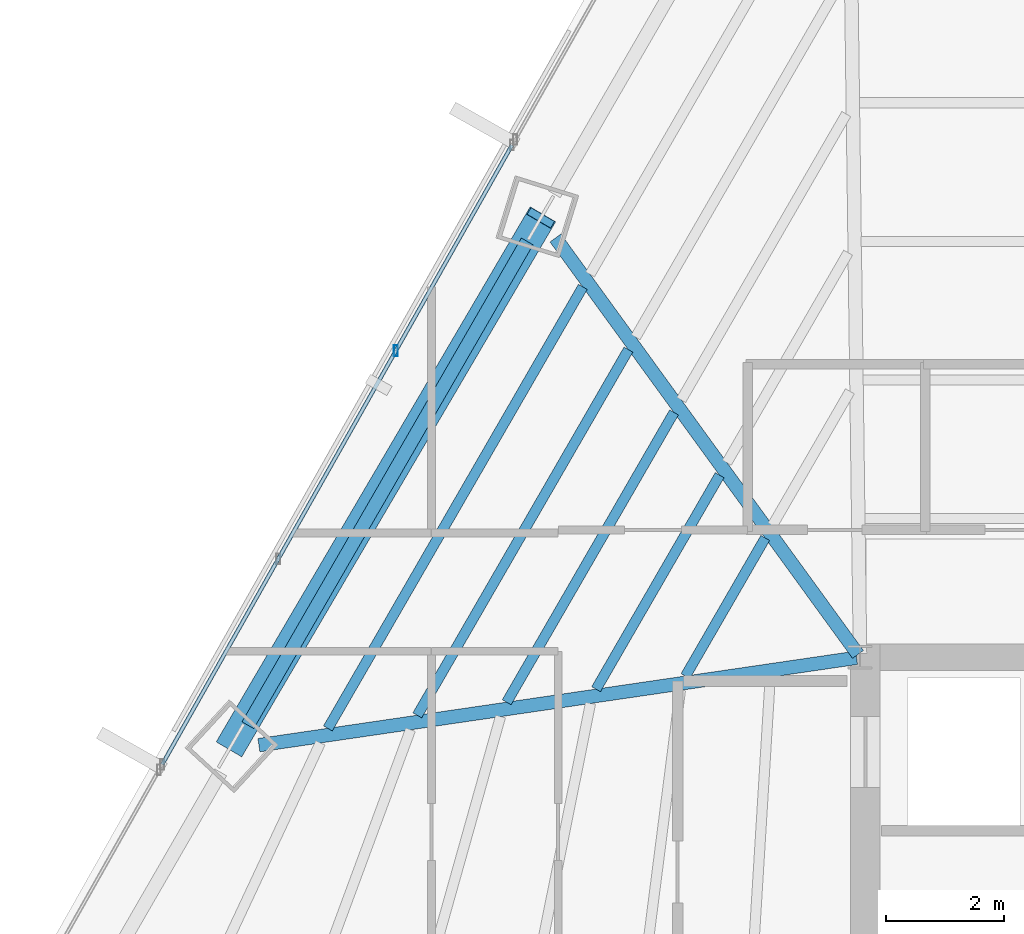
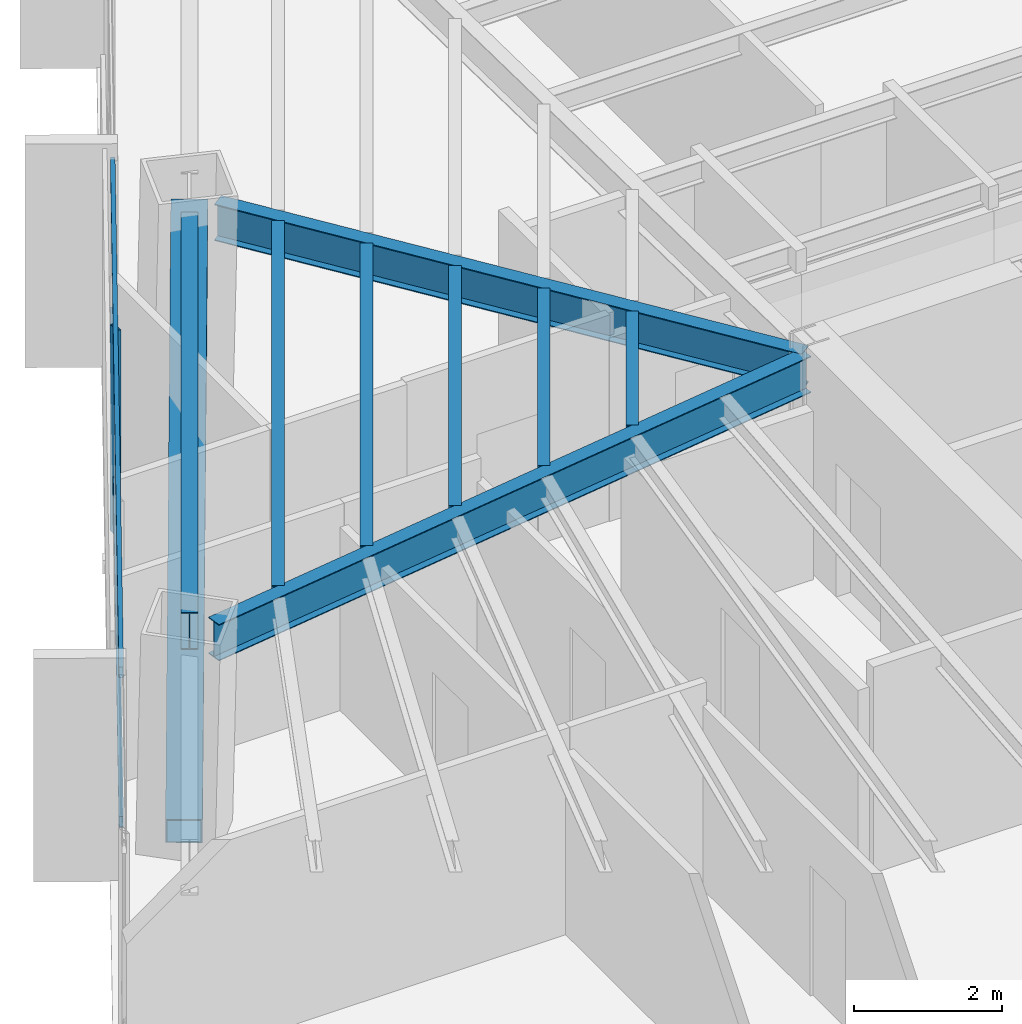
# One storey, part 13 of 35: 8 beams, 4 members, 1 element without a shape of its own.
"""IFC4 building model written with IfcOpenShell, lengths in metres."""

from ifc_helpers import new_model, si_unit, direction, frame, origin, origin_2d, place, context, subcontext, project, spatial, hollow_rectangle, i_section, extrude, source, transform, mapped, material, material_profile, profile_set, type_object, type_shapes, element, aggregate, save


model = new_model("IFC4")

# Units and contexts
model_context = context("Model", 3, precision=1e-05, world=origin(), true_north=direction((0.0, 1.0)))
body_context = subcontext(model_context, "Body", "Model", "MODEL_VIEW")
ifc_project = project(units=[si_unit("LENGTHUNIT", "METRE"), si_unit("AREAUNIT", "SQUARE_METRE"), si_unit("VOLUMEUNIT", "CUBIC_METRE"), si_unit("PLANEANGLEUNIT", "RADIAN"), si_unit("MASSUNIT", "GRAM", prefix="KILO")], contexts=[model_context])

# Site, building, storey
site_placement = place(None, origin())
site = spatial("IfcSite", under=ifc_project, at=site_placement, CompositionType="ELEMENT")
building_placement = place(site_placement, origin())
building = spatial("IfcBuilding", under=site, at=building_placement, Name="Caelisora Broadcast Tower", CompositionType="ELEMENT")
storey_placement = place(building_placement, frame((0.0, 0.0, 90.800048828125)))
storey = spatial("IfcBuildingStorey", under=building, at=storey_placement, Name="L23", CompositionType="ELEMENT", Elevation=90.800048828125)

# Beams
ifc_material_1 = material(Name="Steel Grade 350 (AS/NZS 3679.1)", Category="steel")
ifc_material_profile_1 = material_profile(ifc_material_1, i_section(OverallWidth=0.22900390625, OverallDepth=0.611572265625, WebThickness=0.011962890625, FlangeThickness=0.01953125, at=origin_2d()), Name="Steel Grade 350 (AS/NZS 3679.1)")
ifc_profile_set_1 = profile_set([ifc_material_profile_1], Name="Steel Grade 350 (AS/NZS 3679.1)")
beam_type_1 = type_object("IfcBeamType", Name="PG03", PredefinedType="BEAM", material=ifc_profile_set_1)
shared_shape_1 = source(origin(), body_context, "Body", "SweptSolid", [
    extrude(i_section(OverallWidth=0.22900390625, OverallDepth=0.611572265625, WebThickness=0.011962890625, FlangeThickness=0.01953125, at=origin_2d()), origin(), (0.0, 0.0, 1.0), 9.43505859375),
])
type_shapes(beam_type_1, [shared_shape_1])
beam_1_placement = place(storey_placement, frame((24.877685546875, 37.0234375, 3.09423828125), z_axis=(-0.499974069032, -0.866040374518, 0.0), x_axis=(0.866040374518, -0.499974069032, 0.0)))
element("IfcBeam", 1, at=beam_1_placement, inside=storey, type_object=beam_type_1, Name="L23 beam PG03", PredefinedType="BEAM", context=body_context, shape_type="MappedRepresentation", body=[
    mapped(shared_shape_1, transform((0.0, 0.0, 0.0), scale=1.0)),
])
ifc_material_profile_2 = material_profile(ifc_material_1, i_section(OverallWidth=0.22802734375, OverallDepth=0.602294921875, WebThickness=0.010498046875, FlangeThickness=0.014892578125, at=origin_2d()), Name="Steel Grade 350 (AS/NZS 3679.1)")
ifc_profile_set_2 = profile_set([ifc_material_profile_2], Name="Steel Grade 350 (AS/NZS 3679.1)")
beam_type_2 = type_object("IfcBeamType", Name="PG04", PredefinedType="BEAM", material=ifc_profile_set_2)
shared_shape_2 = source(origin(), body_context, "Body", "SweptSolid", [
    extrude(i_section(OverallWidth=0.22802734375, OverallDepth=0.602294921875, WebThickness=0.010498046875, FlangeThickness=0.014892578125, at=origin_2d()), origin(), (0.0, 0.0, 1.0), 8.693603515625),
])
beam_2_placement = place(storey_placement, frame((30.464599609375, 30.048583984375, 3.098876953125), z_axis=(-0.587767539291, 0.809029863327, 0.0), x_axis=(-0.809029863327, -0.587767539291, 0.0)))
element("IfcBeam", 2, at=beam_2_placement, inside=storey, type_object=beam_type_2, Name="L23 beam PG04", PredefinedType="BEAM", context=body_context, shape_type="MappedRepresentation", body=[
    mapped(shared_shape_2, transform((0.0, 0.0, 0.0), scale=1.0)),
])
shared_shape_3 = source(origin(), body_context, "Body", "SweptSolid", [
    extrude(i_section(OverallWidth=0.22802734375, OverallDepth=0.602294921875, WebThickness=0.010498046875, FlangeThickness=0.014892578125, at=origin_2d()), origin(), (0.0, 0.0, 1.0), 10.2021484375),
])
type_shapes(beam_type_2, [shared_shape_2, shared_shape_3])
beam_3_placement = place(storey_placement, frame((30.440673828125, 29.9912109375, 3.098876953125), z_axis=(-0.989474523325, -0.144707179127, 0.0), x_axis=(0.144707179127, -0.989474523325, 0.0)))
element("IfcBeam", 3, at=beam_3_placement, inside=storey, type_object=beam_type_2, Name="L23 beam PG04", PredefinedType="BEAM", context=body_context, shape_type="MappedRepresentation", body=[
    mapped(shared_shape_3, transform((0.0, 0.0, 0.0), scale=1.0)),
])
ifc_material_profile_3 = material_profile(ifc_material_1, i_section(OverallWidth=0.172119140625, OverallDepth=0.358642578125, WebThickness=0.008056640625, FlangeThickness=0.012939453125, at=origin_2d()), Name="Steel Grade 350 (AS/NZS 3679.1)")
ifc_profile_set_3 = profile_set([ifc_material_profile_3], Name="Steel Grade 350 (AS/NZS 3679.1)")
beam_type_3 = type_object("IfcBeamType", Name="SB02", PredefinedType="JOIST", material=ifc_profile_set_3)
shared_shape_4 = source(origin(), body_context, "Body", "SweptSolid", [
    extrude(i_section(OverallWidth=0.172119140625, OverallDepth=0.358642578125, WebThickness=0.008056640625, FlangeThickness=0.012939453125, at=origin_2d()), origin(), (0.0, 0.0, 1.0), 2.6943359375),
])
beam_4_placement = place(storey_placement, frame((28.8984375, 32.014892578125, 3.220703125), z_axis=(-0.499978670142, -0.866037718234, 0.0), x_axis=(0.866037718234, -0.499978670142, 0.0)))
element("IfcBeam", 4, at=beam_4_placement, inside=storey, type_object=beam_type_3, Name="L23 beam SB02", PredefinedType="JOIST", context=body_context, shape_type="MappedRepresentation", body=[
    mapped(shared_shape_4, transform((0.0, 0.0, 0.0), scale=1.0)),
])
shared_shape_5 = source(origin(), body_context, "Body", "SweptSolid", [
    extrude(i_section(OverallWidth=0.172119140625, OverallDepth=0.358642578125, WebThickness=0.008056640625, FlangeThickness=0.012939453125, at=origin_2d()), origin(), (0.0, 0.0, 1.0), 4.173828125),
])
beam_5_placement = place(storey_placement, frame((28.128173828125, 33.0751953125, 3.220703125), z_axis=(-0.500014445159, -0.866017063708, 0.0), x_axis=(0.866017063708, -0.500014445159, 0.0)))
element("IfcBeam", 5, at=beam_5_placement, inside=storey, type_object=beam_type_3, Name="L23 beam SB02", PredefinedType="JOIST", context=body_context, shape_type="MappedRepresentation", body=[
    mapped(shared_shape_5, transform((0.0, 0.0, 0.0), scale=1.0)),
])
shared_shape_6 = source(origin(), body_context, "Body", "SweptSolid", [
    extrude(i_section(OverallWidth=0.172119140625, OverallDepth=0.358642578125, WebThickness=0.008056640625, FlangeThickness=0.012939453125, at=origin_2d()), origin(), (0.0, 0.0, 1.0), 5.653076171875),
])
beam_6_placement = place(storey_placement, frame((27.35791015625, 34.135498046875, 3.220703125), z_axis=(-0.500012795616, -0.866018016106, 0.0), x_axis=(0.866018016106, -0.500012795616, 0.0)))
element("IfcBeam", 6, at=beam_6_placement, inside=storey, type_object=beam_type_3, Name="L23 beam SB02", PredefinedType="JOIST", context=body_context, shape_type="MappedRepresentation", body=[
    mapped(shared_shape_6, transform((0.0, 0.0, 0.0), scale=1.0)),
])
shared_shape_7 = source(origin(), body_context, "Body", "SweptSolid", [
    extrude(i_section(OverallWidth=0.172119140625, OverallDepth=0.358642578125, WebThickness=0.008056640625, FlangeThickness=0.012939453125, at=origin_2d()), origin(), (0.0, 0.0, 1.0), 7.132080078125),
])
beam_7_placement = place(storey_placement, frame((26.58740234375, 35.19580078125, 3.220703125), z_axis=(-0.499975307128, -0.866039659752, 0.0), x_axis=(0.866039659752, -0.499975307128, 0.0)))
element("IfcBeam", 7, at=beam_7_placement, inside=storey, type_object=beam_type_3, Name="L23 beam SB02", PredefinedType="JOIST", context=body_context, shape_type="MappedRepresentation", body=[
    mapped(shared_shape_7, transform((0.0, 0.0, 0.0), scale=1.0)),
])
shared_shape_8 = source(origin(), body_context, "Body", "SweptSolid", [
    extrude(i_section(OverallWidth=0.172119140625, OverallDepth=0.358642578125, WebThickness=0.008056640625, FlangeThickness=0.012939453125, at=origin_2d()), origin(), (0.0, 0.0, 1.0), 8.611572265625),
])
type_shapes(beam_type_3, [shared_shape_4, shared_shape_5, shared_shape_6, shared_shape_7, shared_shape_8])
beam_8_placement = place(storey_placement, frame((25.817138671875, 36.256103515625, 3.220703125), z_axis=(-0.499980948172, -0.866036403083, 0.0), x_axis=(0.866036403083, -0.499980948172, 0.0)))
element("IfcBeam", 8, at=beam_8_placement, inside=storey, type_object=beam_type_3, Name="L23 beam SB02", PredefinedType="JOIST", context=body_context, shape_type="MappedRepresentation", body=[
    mapped(shared_shape_8, transform((0.0, 0.0, 0.0), scale=1.0)),
])

# Member
ifc_material_2 = material(Name="Steel Grade 450 L15 (AS/NZS 3678)", Category="steel")
ifc_material_profile_4 = material_profile(ifc_material_2, hollow_rectangle(XDim=0.5, YDim=0.5, WallThickness=0.02001953125, at=origin_2d()), Name="Steel Grade 450 L15 (AS/NZS 3678)")
ifc_profile_set_4 = profile_set([ifc_material_profile_4], Name="Steel Grade 450 L15 (AS/NZS 3678)")
member_type_1 = type_object("IfcMemberType", Name="BR02", PredefinedType="BRACE", material=ifc_profile_set_4)
shared_shape_9 = source(origin(), body_context, "Body", "SweptSolid", [
    extrude(hollow_rectangle(XDim=0.5, YDim=0.5, WallThickness=0.02001953125, at=origin_2d()), origin(), (0.0, 0.0, 1.0), 10.765625),
])
type_shapes(member_type_1, [shared_shape_9])
member_1_placement = place(storey_placement, frame((25.10791015625, 37.421875, 3.099853515625), z_axis=(-0.486011029861, -0.828334602991, -0.278666582751), x_axis=(0.862500032821, -0.506057006061, 0.0)))
element("IfcMember", 9, at=member_1_placement, inside=storey, type_object=member_type_1, Name="L23 perimeter brace BR02", PredefinedType="BRACE", context=body_context, shape_type="MappedRepresentation", body=[
    mapped(shared_shape_9, transform((0.0, 0.0, 0.0), scale=1.0)),
])

# Curtain wall, members
ifc_material_3 = material(Name="Unitised Aluminium Insulated Shadow-Box Spandrel Curtain Wall", Category="aluminium")
curtain_wall_type = type_object("IfcCurtainWallType", Name="CW-SP1", PredefinedType="NOTDEFINED", material=ifc_material_3)
curtain_wall_placement = place(storey_placement, origin())
curtain_wall = element("IfcCurtainWall", 10, at=curtain_wall_placement, inside=storey, type_object=curtain_wall_type, Name="L23 curtain wall CW-SP1", PredefinedType="NOTDEFINED")
ifc_material_4 = material(Name="Aluminium 6063-T6 Anodised Terracotta Bronze", Category="aluminium")
ifc_material_profile_5 = material_profile(ifc_material_4, hollow_rectangle(XDim=0.06494140625, YDim=0.179931640625, WallThickness=0.00341796875, at=origin_2d()), Name="Aluminium 6063-T6 Anodised Terracotta Bronze")
ifc_profile_set_5 = profile_set([ifc_material_profile_5], Name="Aluminium 6063-T6 Anodised Terracotta Bronze")
member_type_2 = type_object("IfcMemberType", Name="CWM-02", PredefinedType="MULLION", material=ifc_profile_set_5)
shared_shape_10 = source(origin(), body_context, "Body", "SweptSolid", [
    extrude(hollow_rectangle(XDim=0.06494140625, YDim=0.179931640625, WallThickness=0.00341796875, at=origin_2d()), origin(), (0.0, 0.0, 1.0), 3.39990234375),
])
type_shapes(member_type_2, [shared_shape_10])
member_2_placement = place(storey_placement, frame((22.65966796875, 35.177734375, 0.0), z_axis=(0.0, 0.0, 1.0), x_axis=(1.0, 0.0, 0.0)))
member_2 = element("IfcMember", 11, at=member_2_placement, type_object=member_type_2, Name="L23-CW-B10 mullion #2", PredefinedType="MULLION", context=body_context, shape_type="MappedRepresentation", body=[
    mapped(shared_shape_10, transform((0.0, 0.0, 0.0), scale=1.0)),
])
ifc_material_profile_6 = material_profile(ifc_material_4, hollow_rectangle(XDim=0.06494140625, YDim=0.179931640625, WallThickness=0.00341796875, at=origin_2d()), Name="Aluminium 6063-T6 Anodised Terracotta Bronze")
ifc_profile_set_6 = profile_set([ifc_material_profile_6], Name="Aluminium 6063-T6 Anodised Terracotta Bronze")
member_type_3 = type_object("IfcMemberType", Name="CWT-01", PredefinedType="USERDEFINED", material=ifc_profile_set_6)
shared_shape_11 = source(origin(), body_context, "Body", "SweptSolid", [
    extrude(hollow_rectangle(XDim=0.06494140625, YDim=0.179931640625, WallThickness=0.00341796875, at=origin_2d()), origin(), (0.0, 0.0, 1.0), 12.011962890625),
])
type_shapes(member_type_3, [shared_shape_11])
member_3_placement = place(storey_placement, frame((18.71337890625, 28.1904296875, 0.849853515625), z_axis=(0.491757189957, 0.870732373422, 0.0), x_axis=(-0.870732373422, 0.491757189957, 0.0)))
member_3 = element("IfcMember", 12, at=member_3_placement, type_object=member_type_3, Name="L23-CW-B10 transom #1", ObjectType="TRANSOM", PredefinedType="USERDEFINED", context=body_context, shape_type="MappedRepresentation", body=[
    mapped(shared_shape_11, transform((0.0, 0.0, 0.0), scale=1.0)),
])
member_4_placement = place(storey_placement, frame((18.71337890625, 28.1904296875, 3.320068359375), z_axis=(0.491757189957, 0.870732373422, 0.0), x_axis=(-0.870732373422, 0.491757189957, 0.0)))
member_4 = element("IfcMember", 13, at=member_4_placement, type_object=member_type_3, Name="L23-CW-B10 transom #2", ObjectType="TRANSOM", PredefinedType="USERDEFINED", context=body_context, shape_type="MappedRepresentation", body=[
    mapped(shared_shape_11, transform((0.0, 0.0, 0.0), scale=1.0)),
])
aggregate(curtain_wall, [member_2, member_3, member_4])

save(model, "model.ifc")
